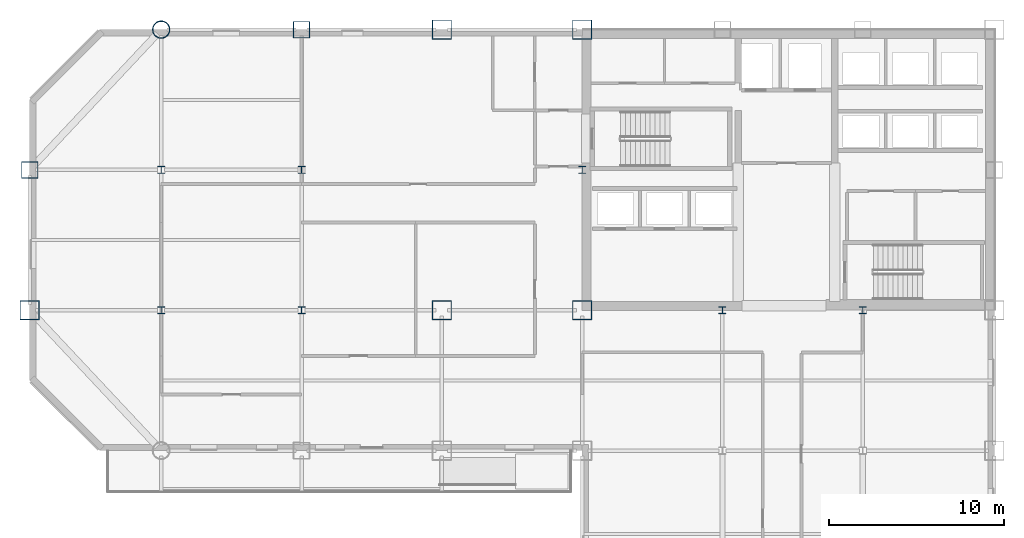
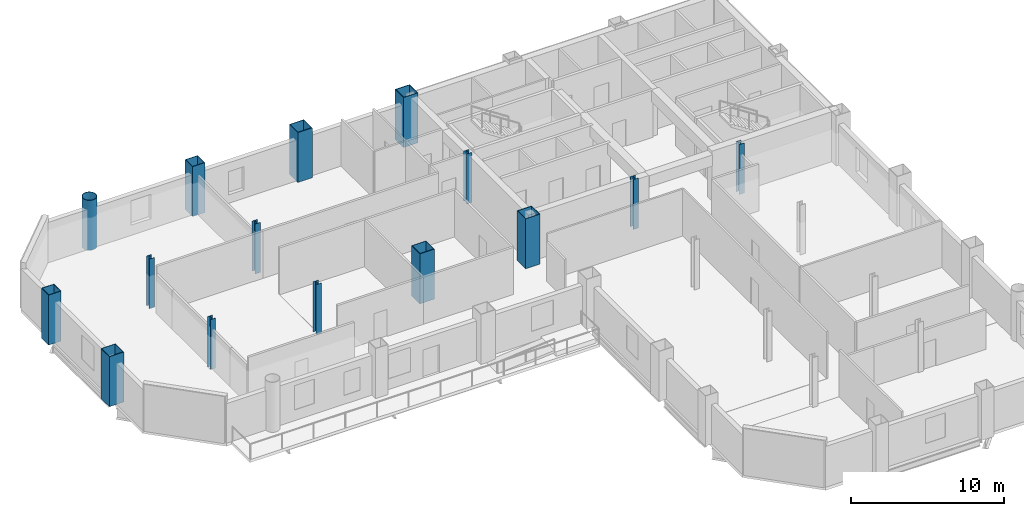
# One storey, part 3 of 10: 15 columns.
"""IFC4 building model written with IfcOpenShell, lengths in metres."""

from ifc_helpers import new_model, si_unit, direction, frame, origin, origin_2d, place, context, subcontext, project, spatial, hollow_rectangle, hollow_circle, i_section, extrude, material, material_profile, profile_set, type_object, element, save


model = new_model("IFC4")

# Units and contexts
model_context = context("Model", 3, precision=1e-05, world=origin(), true_north=direction((0.0, 1.0)))
body_context = subcontext(model_context, "Body", "Model", "MODEL_VIEW")
ifc_project = project(units=[si_unit("LENGTHUNIT", "METRE"), si_unit("AREAUNIT", "SQUARE_METRE"), si_unit("VOLUMEUNIT", "CUBIC_METRE"), si_unit("PLANEANGLEUNIT", "RADIAN"), si_unit("MASSUNIT", "GRAM", prefix="KILO")], contexts=[model_context])

# Site, building, storey
site_placement = place(None, origin())
site = spatial("IfcSite", under=ifc_project, at=site_placement, CompositionType="ELEMENT")
building_placement = place(site_placement, origin())
building = spatial("IfcBuilding", under=site, at=building_placement, Name="Qianrong Seaharbour Tower", CompositionType="ELEMENT")
storey_placement = place(building_placement, frame((0.0, 0.0, 151.0)))
storey = spatial("IfcBuildingStorey", under=building, at=storey_placement, Name="L36", CompositionType="ELEMENT", Elevation=151.0)

# Columns
ifc_material = material(Name="Structural steel SN490B", Category="steel")
ifc_material_profile_1 = material_profile(ifc_material, hollow_rectangle(XDim=1.10009765625, YDim=1.10009765625, WallThickness=0.0400390625, at=origin_2d()), Name="BOX1100x1100x40")
ifc_profile_set_1 = profile_set([ifc_material_profile_1], Name="Structural steel SN490B")
column_type_1 = type_object("IfcColumnType", Name="COL-CFT-1100", PredefinedType="COLUMN", material=ifc_profile_set_1)
for number, where, z_axis, x_axis, name in (
    (1, (9.0, 36.0, 0.0), (0.0, 0.0, 1.0), (1.0, 0.0, 0.0), "L36 Column MC-3 at G2/GF"),
    (2, (32.5, 36.0, 0.0), (0.0, 0.0, 1.0), (1.0, 0.0, 0.0), "L36 Column MC-3 at G5/GF"),
    (3, (32.5, 52.0, 0.0), (0.0, 0.0, 1.0), (1.0, 0.0, 0.0), "L36 Column MC-3 at G5/GH"),
    (4, (40.5, 36.0, 0.0), (0.0, 0.0, 1.0), (1.0, 0.0, 0.0), "L36 Column MC-3 at G6/GF"),
    (5, (40.5, 52.0, 0.0), (0.0, 0.0, 1.0), (1.0, 0.0, 0.0), "L36 Column MC-3 at G6/GH"),
):
    element("IfcColumn", number, at=place(storey_placement, frame(where, z_axis=z_axis, x_axis=x_axis)), inside=storey, type_object=column_type_1, Name=name, PredefinedType="COLUMN", context=body_context, shape_type="SweptSolid", body=[
        extrude(hollow_rectangle(XDim=1.10009765625, YDim=1.10009765625, WallThickness=0.0400390625, at=origin_2d()), origin(), (0.0, 0.0, 1.0), 4.0),
    ])
ifc_material_profile_2 = material_profile(ifc_material, hollow_circle(Radius=0.5, WallThickness=0.035888671875, at=origin_2d()), Name="CHS1000x36")
ifc_profile_set_2 = profile_set([ifc_material_profile_2], Name="Structural steel SN490B")
column_type_2 = type_object("IfcColumnType", Name="COL-CHS-1000", PredefinedType="COLUMN", material=ifc_profile_set_2)
column_placement = place(storey_placement, frame((16.5, 52.0, 0.0), z_axis=(0.0, 0.0, 1.0), x_axis=(1.0, 0.0, 0.0)))
element("IfcColumn", 6, at=column_placement, inside=storey, type_object=column_type_2, Name="L36 Column CC-2 at G3/GH", PredefinedType="COLUMN", context=body_context, shape_type="SweptSolid", body=[
    extrude(hollow_circle(Radius=0.5, WallThickness=0.035888671875, at=origin_2d()), origin(), (0.0, 0.0, 1.0), 4.0),
])
ifc_material_profile_3 = material_profile(ifc_material, i_section(OverallWidth=0.39990234375, OverallDepth=0.39990234375, WebThickness=0.012939453125, FlangeThickness=0.02099609375, FilletRadius=0.02197265625, at=origin_2d()), Name="H400x400x13x21")
ifc_profile_set_3 = profile_set([ifc_material_profile_3], Name="Structural steel SN490B")
column_type_3 = type_object("IfcColumnType", Name="COL-INT-H400", PredefinedType="COLUMN", material=ifc_profile_set_3)
for number, where, z_axis, x_axis, name in (
    (7, (16.5, 36.0, 0.0), (0.0, 0.0, 1.0), (1.0, 0.0, 0.0), "L36 Column IC-3 at G3/GF"),
    (8, (16.5, 44.0, 0.0), (0.0, 0.0, 1.0), (1.0, 0.0, 0.0), "L36 Column IC-3 at G3/GG"),
    (9, (24.5, 36.0, 0.0), (0.0, 0.0, 1.0), (1.0, 0.0, 0.0), "L36 Column IC-3 at G4/GF"),
    (10, (24.5, 44.0, 0.0), (0.0, 0.0, 1.0), (1.0, 0.0, 0.0), "L36 Column IC-3 at G4/GG"),
    (11, (40.5, 44.0, 0.0), (0.0, 0.0, 1.0), (1.0, 0.0, 0.0), "L36 Column IC-3 at G6/GG"),
    (12, (48.5, 36.0, 0.0), (0.0, 0.0, 1.0), (1.0, 0.0, 0.0), "L36 Column IC-3 at G7/GF"),
    (13, (56.5, 36.0, 0.0), (0.0, 0.0, 1.0), (1.0, 0.0, 0.0), "L36 Column IC-3 at G8/GF"),
):
    element("IfcColumn", number, at=place(storey_placement, frame(where, z_axis=z_axis, x_axis=x_axis)), inside=storey, type_object=column_type_3, Name=name, PredefinedType="COLUMN", context=body_context, shape_type="SweptSolid", body=[
        extrude(i_section(OverallWidth=0.39990234375, OverallDepth=0.39990234375, WebThickness=0.012939453125, FlangeThickness=0.02099609375, FilletRadius=0.02197265625, at=origin_2d()), origin(), (0.0, 0.0, 1.0), 4.0),
    ])
ifc_material_profile_4 = material_profile(ifc_material, hollow_rectangle(XDim=0.949951171875, YDim=0.949951171875, WallThickness=0.035888671875, at=origin_2d()), Name="BOX950x950x36")
ifc_profile_set_4 = profile_set([ifc_material_profile_4], Name="Structural steel SN490B")
column_type_4 = type_object("IfcColumnType", Name="COL-PER-950", PredefinedType="COLUMN", material=ifc_profile_set_4)
for number, where, z_axis, x_axis, name in (
    (14, (9.0, 44.0, 0.0), (0.0, 0.0, 1.0), (1.0, 0.0, 0.0), "L36 Column PC-2 at G2/GG"),
    (15, (24.5, 52.0, 0.0), (0.0, 0.0, 1.0), (1.0, 0.0, 0.0), "L36 Column PC-2 at G4/GH"),
):
    element("IfcColumn", number, at=place(storey_placement, frame(where, z_axis=z_axis, x_axis=x_axis)), inside=storey, type_object=column_type_4, Name=name, PredefinedType="COLUMN", context=body_context, shape_type="SweptSolid", body=[
        extrude(hollow_rectangle(XDim=0.949951171875, YDim=0.949951171875, WallThickness=0.035888671875, at=origin_2d()), origin(), (0.0, 0.0, 1.0), 4.0),
    ])

save(model, "model.ifc")
